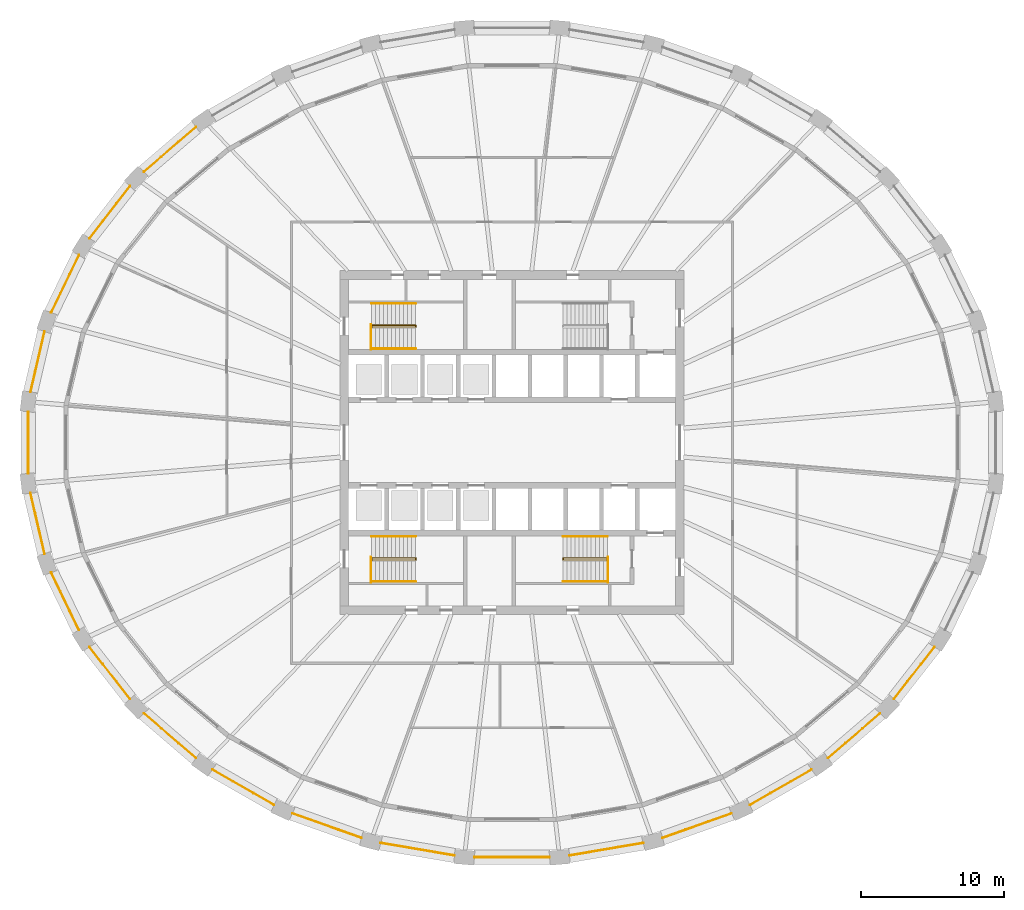
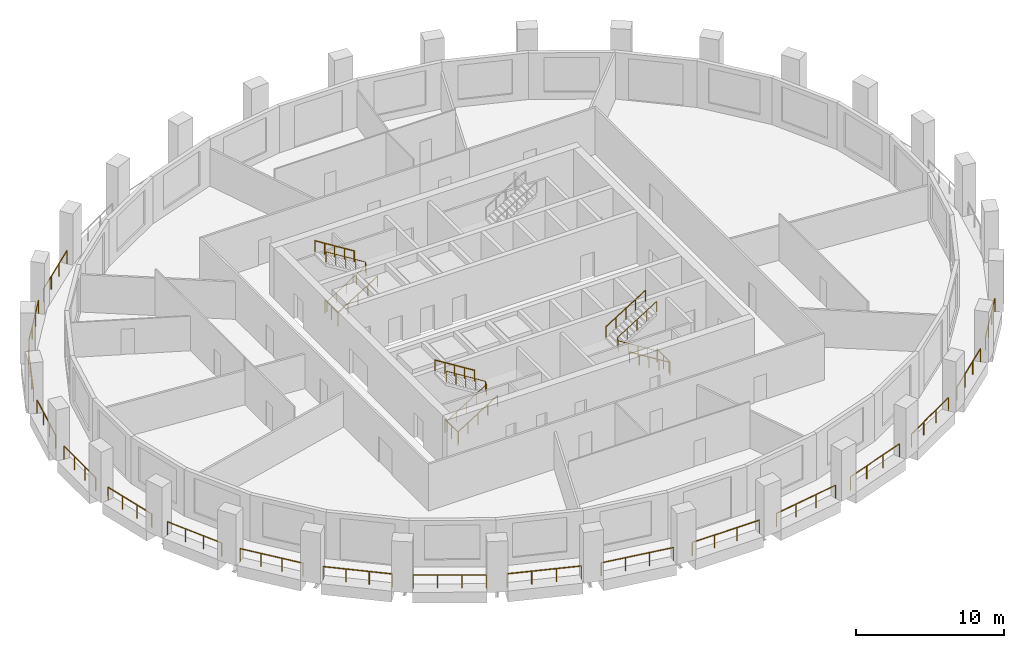
# One storey, part 8 of 10: 30 railings.
"""IFC4 building model written with IfcOpenShell, lengths in metres."""

from ifc_helpers import new_model, si_unit, direction, frame, origin, origin_2d, place, context, subcontext, project, spatial, circle, extrude, material, type_object, element, save


model = new_model("IFC4")

# Units and contexts
model_context = context("Model", 3, precision=1e-05, world=origin(), true_north=direction((0.0, 1.0)))
body_context = subcontext(model_context, "Body", "Model", "MODEL_VIEW")
ifc_project = project(units=[si_unit("LENGTHUNIT", "METRE"), si_unit("AREAUNIT", "SQUARE_METRE"), si_unit("VOLUMEUNIT", "CUBIC_METRE"), si_unit("PLANEANGLEUNIT", "RADIAN"), si_unit("MASSUNIT", "GRAM", prefix="KILO")], contexts=[model_context])

# Site, building, storey
site_placement = place(None, origin())
site = spatial("IfcSite", under=ifc_project, at=site_placement, CompositionType="ELEMENT")
building_placement = place(site_placement, origin())
building = spatial("IfcBuilding", under=site, at=building_placement, Name="Halqa Exchange Tower", CompositionType="ELEMENT")
storey_placement = place(building_placement, frame((0.0, 0.0, 163.300048828125)))
storey = spatial("IfcBuildingStorey", under=building, at=storey_placement, Name="L37", CompositionType="ELEMENT", Elevation=163.300048828125)

# Railings
ifc_material = material(Name="Stainless steel", Category="steel")
railing_type_1 = type_object("IfcRailingType", Name="Guard 1100 stainless steel", PredefinedType="GUARDRAIL", material=ifc_material)
railing_1_placement = place(storey_placement, frame((-22.05078125, 22.02001953125, 0.0)))
element("IfcRailing", 1, at=railing_1_placement, inside=storey, type_object=railing_type_1, Name="Loggia guard 12", PredefinedType="GUARDRAIL", context=body_context, shape_type="SweptSolid", body=[
    extrude(circle(Radius=0.02392578125, at=origin_2d()), frame((0.0, 0.0, 1.076171875), z_axis=(-0.759245815902, -0.650803957452, 0.0), x_axis=(0.650803957452, -0.759245815902, 0.0)), (0.0, 0.0, 1.0), 4.793212890625),
    extrude(circle(Radius=0.02099609375, at=origin_2d()), origin(), (0.0, 0.0, 1.0), 1.052001953125),
    extrude(circle(Radius=0.02099609375, at=origin_2d()), frame((-1.213134765625, -1.039794921875, 0.0)), (0.0, 0.0, 1.0), 1.052001953125),
    extrude(circle(Radius=0.02099609375, at=origin_2d()), frame((-2.426025390625, -2.07958984375, 0.0)), (0.0, 0.0, 1.0), 1.052001953125),
    extrude(circle(Radius=0.02099609375, at=origin_2d()), frame((-3.63916015625, -3.119384765625, 0.0)), (0.0, 0.0, 1.0), 1.052001953125),
])
railing_2_placement = place(storey_placement, frame((-26.65185546875, 17.89306640625, 0.0)))
element("IfcRailing", 2, at=railing_2_placement, inside=storey, type_object=railing_type_1, Name="Loggia guard 13", PredefinedType="GUARDRAIL", context=body_context, shape_type="SweptSolid", body=[
    extrude(circle(Radius=0.02392578125, at=origin_2d()), frame((0.0, 0.0, 1.076171875), z_axis=(-0.614787396714, -0.788692878655, 0.0), x_axis=(0.788692878655, -0.614787396714, 0.0)), (0.0, 0.0, 1.0), 4.60888671875),
    extrude(circle(Radius=0.02099609375, at=origin_2d()), origin(), (0.0, 0.0, 1.0), 1.052001953125),
    extrude(circle(Radius=0.02099609375, at=origin_2d()), frame((-0.944580078125, -1.211669921875, 0.0)), (0.0, 0.0, 1.0), 1.052001953125),
    extrude(circle(Radius=0.02099609375, at=origin_2d()), frame((-1.888916015625, -2.42333984375, 0.0)), (0.0, 0.0, 1.0), 1.052001953125),
    extrude(circle(Radius=0.02099609375, at=origin_2d()), frame((-2.83349609375, -3.635009765625, 0.0)), (0.0, 0.0, 1.0), 1.052001953125),
])
railing_3_placement = place(storey_placement, frame((-30.22021484375, 13.07568359375, 0.0)))
element("IfcRailing", 3, at=railing_3_placement, inside=storey, type_object=railing_type_1, Name="Loggia guard 14", PredefinedType="GUARDRAIL", context=body_context, shape_type="SweptSolid", body=[
    extrude(circle(Radius=0.02392578125, at=origin_2d()), frame((0.0, 0.0, 1.076171875), z_axis=(-0.435143450916, -0.900361137058, 0.0), x_axis=(0.900361137058, -0.435143450916, 0.0)), (0.0, 0.0, 1.0), 4.44873046875),
    extrude(circle(Radius=0.02099609375, at=origin_2d()), origin(), (0.0, 0.0, 1.0), 1.052001953125),
    extrude(circle(Radius=0.02099609375, at=origin_2d()), frame((-0.645263671875, -1.335205078125, 0.0)), (0.0, 0.0, 1.0), 1.052001953125),
    extrude(circle(Radius=0.02099609375, at=origin_2d()), frame((-1.29052734375, -2.670166015625, 0.0)), (0.0, 0.0, 1.0), 1.052001953125),
    extrude(circle(Radius=0.02099609375, at=origin_2d()), frame((-1.935791015625, -4.00537109375, 0.0)), (0.0, 0.0, 1.0), 1.052001953125),
])
railing_4_placement = place(storey_placement, frame((-32.61865234375, 7.75830078125, 0.0)))
element("IfcRailing", 4, at=railing_4_placement, inside=storey, type_object=railing_type_1, Name="Loggia guard 15", PredefinedType="GUARDRAIL", context=body_context, shape_type="SweptSolid", body=[
    extrude(circle(Radius=0.02392578125, at=origin_2d()), frame((0.0, 0.0, 1.076171875), z_axis=(-0.226083943623, -0.974107822798, 0.0), x_axis=(0.974107822798, -0.226083943623, 0.0)), (0.0, 0.0, 1.0), 4.3388671875),
    extrude(circle(Radius=0.02099609375, at=origin_2d()), origin(), (0.0, 0.0, 1.0), 1.052001953125),
    extrude(circle(Radius=0.02099609375, at=origin_2d()), frame((-0.326904296875, -1.408935546875, 0.0)), (0.0, 0.0, 1.0), 1.052001953125),
    extrude(circle(Radius=0.02099609375, at=origin_2d()), frame((-0.654052734375, -2.817626953125, 0.0)), (0.0, 0.0, 1.0), 1.052001953125),
    extrude(circle(Radius=0.02099609375, at=origin_2d()), frame((-0.98095703125, -4.2265625, 0.0)), (0.0, 0.0, 1.0), 1.052001953125),
])
railing_5_placement = place(storey_placement, frame((-33.7578125, 2.14990234375, 0.0)))
element("IfcRailing", 5, at=railing_5_placement, inside=storey, type_object=railing_type_1, Name="Loggia guard 16", PredefinedType="GUARDRAIL", context=body_context, shape_type="SweptSolid", body=[
    extrude(circle(Radius=0.02392578125, at=origin_2d()), frame((0.0, 0.0, 1.076171875), z_axis=(0.0, -1.0, 0.0), x_axis=(1.0, 0.0, 0.0)), (0.0, 0.0, 1.0), 4.2998046875),
    extrude(circle(Radius=0.02099609375, at=origin_2d()), origin(), (0.0, 0.0, 1.0), 1.052001953125),
    extrude(circle(Radius=0.02099609375, at=origin_2d()), frame((0.0, -1.433349609375, 0.0)), (0.0, 0.0, 1.0), 1.052001953125),
    extrude(circle(Radius=0.02099609375, at=origin_2d()), frame((0.0, -2.866455078125, 0.0)), (0.0, 0.0, 1.0), 1.052001953125),
    extrude(circle(Radius=0.02099609375, at=origin_2d()), frame((0.0, -4.2998046875, 0.0)), (0.0, 0.0, 1.0), 1.052001953125),
])
railing_6_placement = place(storey_placement, frame((-33.599609375, -3.53173828125, 0.0)))
element("IfcRailing", 6, at=railing_6_placement, inside=storey, type_object=railing_type_1, Name="Loggia guard 17", PredefinedType="GUARDRAIL", context=body_context, shape_type="SweptSolid", body=[
    extrude(circle(Radius=0.02392578125, at=origin_2d()), frame((0.0, 0.0, 1.076171875), z_axis=(0.226083943623, -0.974107822798, 0.0), x_axis=(0.974107822798, 0.226083943623, 0.0)), (0.0, 0.0, 1.0), 4.3388671875),
    extrude(circle(Radius=0.02099609375, at=origin_2d()), origin(), (0.0, 0.0, 1.0), 1.052001953125),
    extrude(circle(Radius=0.02099609375, at=origin_2d()), frame((0.326904296875, -1.408935546875, 0.0)), (0.0, 0.0, 1.0), 1.052001953125),
    extrude(circle(Radius=0.02099609375, at=origin_2d()), frame((0.654052734375, -2.817626953125, 0.0)), (0.0, 0.0, 1.0), 1.052001953125),
    extrude(circle(Radius=0.02099609375, at=origin_2d()), frame((0.98095703125, -4.2265625, 0.0)), (0.0, 0.0, 1.0), 1.052001953125),
])
railing_7_placement = place(storey_placement, frame((-32.156005859375, -9.0703125, 0.0)))
element("IfcRailing", 7, at=railing_7_placement, inside=storey, type_object=railing_type_1, Name="Loggia guard 18", PredefinedType="GUARDRAIL", context=body_context, shape_type="SweptSolid", body=[
    extrude(circle(Radius=0.02392578125, at=origin_2d()), frame((0.0, 0.0, 1.076171875), z_axis=(0.435143450916, -0.900361137058, 0.0), x_axis=(0.900361137058, 0.435143450916, 0.0)), (0.0, 0.0, 1.0), 4.44873046875),
    extrude(circle(Radius=0.02099609375, at=origin_2d()), origin(), (0.0, 0.0, 1.0), 1.052001953125),
    extrude(circle(Radius=0.02099609375, at=origin_2d()), frame((0.645263671875, -1.335205078125, 0.0)), (0.0, 0.0, 1.0), 1.052001953125),
    extrude(circle(Radius=0.02099609375, at=origin_2d()), frame((1.29052734375, -2.670166015625, 0.0)), (0.0, 0.0, 1.0), 1.052001953125),
    extrude(circle(Radius=0.02099609375, at=origin_2d()), frame((1.935791015625, -4.00537109375, 0.0)), (0.0, 0.0, 1.0), 1.052001953125),
])
railing_8_placement = place(storey_placement, frame((-29.4853515625, -14.258056640625, 0.0)))
element("IfcRailing", 8, at=railing_8_placement, inside=storey, type_object=railing_type_1, Name="Loggia guard 19", PredefinedType="GUARDRAIL", context=body_context, shape_type="SweptSolid", body=[
    extrude(circle(Radius=0.02392578125, at=origin_2d()), frame((0.0, 0.0, 1.076171875), z_axis=(0.614787396714, -0.788692878655, 0.0), x_axis=(0.788692878655, 0.614787396714, 0.0)), (0.0, 0.0, 1.0), 4.60888671875),
    extrude(circle(Radius=0.02099609375, at=origin_2d()), origin(), (0.0, 0.0, 1.0), 1.052001953125),
    extrude(circle(Radius=0.02099609375, at=origin_2d()), frame((0.944580078125, -1.211669921875, 0.0)), (0.0, 0.0, 1.0), 1.052001953125),
    extrude(circle(Radius=0.02099609375, at=origin_2d()), frame((1.888916015625, -2.42333984375, 0.0)), (0.0, 0.0, 1.0), 1.052001953125),
    extrude(circle(Radius=0.02099609375, at=origin_2d()), frame((2.83349609375, -3.635009765625, 0.0)), (0.0, 0.0, 1.0), 1.052001953125),
])
railing_9_placement = place(storey_placement, frame((-25.68994140625, -18.900634765625, 0.0)))
element("IfcRailing", 9, at=railing_9_placement, inside=storey, type_object=railing_type_1, Name="Loggia guard 20", PredefinedType="GUARDRAIL", context=body_context, shape_type="SweptSolid", body=[
    extrude(circle(Radius=0.02392578125, at=origin_2d()), frame((0.0, 0.0, 1.076171875), z_axis=(0.759245815902, -0.650803957452, 0.0), x_axis=(0.650803957452, 0.759245815902, 0.0)), (0.0, 0.0, 1.0), 4.793212890625),
    extrude(circle(Radius=0.02099609375, at=origin_2d()), origin(), (0.0, 0.0, 1.0), 1.052001953125),
    extrude(circle(Radius=0.02099609375, at=origin_2d()), frame((1.213134765625, -1.039794921875, 0.0)), (0.0, 0.0, 1.0), 1.052001953125),
    extrude(circle(Radius=0.02099609375, at=origin_2d()), frame((2.426025390625, -2.07958984375, 0.0)), (0.0, 0.0, 1.0), 1.052001953125),
    extrude(circle(Radius=0.02099609375, at=origin_2d()), frame((3.63916015625, -3.119384765625, 0.0)), (0.0, 0.0, 1.0), 1.052001953125),
])
railing_10_placement = place(storey_placement, frame((-20.911865234375, -22.8232421875, 0.0)))
element("IfcRailing", 10, at=railing_10_placement, inside=storey, type_object=railing_type_1, Name="Loggia guard 21", PredefinedType="GUARDRAIL", context=body_context, shape_type="SweptSolid", body=[
    extrude(circle(Radius=0.02392578125, at=origin_2d()), frame((0.0, 0.0, 1.076171875), z_axis=(0.867750144397, -0.497000691044, 0.0), x_axis=(0.497000691044, 0.867750144397, 0.0)), (0.0, 0.0, 1.0), 4.9716796875),
    extrude(circle(Radius=0.02099609375, at=origin_2d()), origin(), (0.0, 0.0, 1.0), 1.052001953125),
    extrude(circle(Radius=0.02099609375, at=origin_2d()), frame((1.43798828125, -0.82373046875, 0.0)), (0.0, 0.0, 1.0), 1.052001953125),
    extrude(circle(Radius=0.02099609375, at=origin_2d()), frame((2.876220703125, -1.647216796875, 0.0)), (0.0, 0.0, 1.0), 1.052001953125),
    extrude(circle(Radius=0.02099609375, at=origin_2d()), frame((4.314208984375, -2.470947265625, 0.0)), (0.0, 0.0, 1.0), 1.052001953125),
])
railing_11_placement = place(storey_placement, frame((-15.33056640625, -25.876220703125, 0.0)))
element("IfcRailing", 11, at=railing_11_placement, inside=storey, type_object=railing_type_1, Name="Loggia guard 22", PredefinedType="GUARDRAIL", context=body_context, shape_type="SweptSolid", body=[
    extrude(circle(Radius=0.02392578125, at=origin_2d()), frame((0.0, 0.0, 1.076171875), z_axis=(0.942356449768, -0.334610701532, 0.0), x_axis=(0.334610701532, 0.942356449768, 0.0)), (0.0, 0.0, 1.0), 5.119140625),
    extrude(circle(Radius=0.02099609375, at=origin_2d()), origin(), (0.0, 0.0, 1.0), 1.052001953125),
    extrude(circle(Radius=0.02099609375, at=origin_2d()), frame((1.60791015625, -0.571044921875, 0.0)), (0.0, 0.0, 1.0), 1.052001953125),
    extrude(circle(Radius=0.02099609375, at=origin_2d()), frame((3.216064453125, -1.141845703125, 0.0)), (0.0, 0.0, 1.0), 1.052001953125),
    extrude(circle(Radius=0.02099609375, at=origin_2d()), frame((4.823974609375, -1.712890625, 0.0)), (0.0, 0.0, 1.0), 1.052001953125),
])
railing_12_placement = place(storey_placement, frame((-9.15673828125, -27.94091796875, 0.0)))
element("IfcRailing", 12, at=railing_12_placement, inside=storey, type_object=railing_type_1, Name="Loggia guard 23", PredefinedType="GUARDRAIL", context=body_context, shape_type="SweptSolid", body=[
    extrude(circle(Radius=0.02392578125, at=origin_2d()), frame((0.0, 0.0, 1.076171875), z_axis=(0.985781275518, -0.168033558668, 0.0), x_axis=(0.168033558668, 0.985781275518, 0.0)), (0.0, 0.0, 1.0), 5.216064453125),
    extrude(circle(Radius=0.02099609375, at=origin_2d()), origin(), (0.0, 0.0, 1.0), 1.052001953125),
    extrude(circle(Radius=0.02099609375, at=origin_2d()), frame((1.7138671875, -0.292236328125, 0.0)), (0.0, 0.0, 1.0), 1.052001953125),
    extrude(circle(Radius=0.02099609375, at=origin_2d()), frame((3.427978515625, -0.584228515625, 0.0)), (0.0, 0.0, 1.0), 1.052001953125),
    extrude(circle(Radius=0.02099609375, at=origin_2d()), frame((5.141845703125, -0.87646484375, 0.0)), (0.0, 0.0, 1.0), 1.052001953125),
])
railing_13_placement = place(storey_placement, frame((-2.624755859375, -28.935302734375, 0.0)))
element("IfcRailing", 13, at=railing_13_placement, inside=storey, type_object=railing_type_1, Name="Loggia guard 24", PredefinedType="GUARDRAIL", context=body_context, shape_type="SweptSolid", body=[
    extrude(circle(Radius=0.02392578125, at=origin_2d()), frame((0.0, 0.0, 1.076171875), z_axis=(1.0, 0.0, 0.0), x_axis=(0.0, 1.0, 0.0)), (0.0, 0.0, 1.0), 5.24951171875),
    extrude(circle(Radius=0.02099609375, at=origin_2d()), origin(), (0.0, 0.0, 1.0), 1.052001953125),
    extrude(circle(Radius=0.02099609375, at=origin_2d()), frame((1.749755859375, 0.0, 0.0)), (0.0, 0.0, 1.0), 1.052001953125),
    extrude(circle(Radius=0.02099609375, at=origin_2d()), frame((3.499755859375, 0.0, 0.0)), (0.0, 0.0, 1.0), 1.052001953125),
    extrude(circle(Radius=0.02099609375, at=origin_2d()), frame((5.24951171875, 0.0, 0.0)), (0.0, 0.0, 1.0), 1.052001953125),
])
railing_14_placement = place(storey_placement, frame((4.014892578125, -28.8173828125, 0.0)))
element("IfcRailing", 14, at=railing_14_placement, inside=storey, type_object=railing_type_1, Name="Loggia guard 25", PredefinedType="GUARDRAIL", context=body_context, shape_type="SweptSolid", body=[
    extrude(circle(Radius=0.02392578125, at=origin_2d()), frame((0.0, 0.0, 1.076171875), z_axis=(0.985781275518, 0.168033558668, 0.0), x_axis=(-0.168033558668, 0.985781275518, 0.0)), (0.0, 0.0, 1.0), 5.216064453125),
    extrude(circle(Radius=0.02099609375, at=origin_2d()), origin(), (0.0, 0.0, 1.0), 1.052001953125),
    extrude(circle(Radius=0.02099609375, at=origin_2d()), frame((1.7138671875, 0.292236328125, 0.0)), (0.0, 0.0, 1.0), 1.052001953125),
    extrude(circle(Radius=0.02099609375, at=origin_2d()), frame((3.427978515625, 0.584228515625, 0.0)), (0.0, 0.0, 1.0), 1.052001953125),
    extrude(circle(Radius=0.02099609375, at=origin_2d()), frame((5.141845703125, 0.87646484375, 0.0)), (0.0, 0.0, 1.0), 1.052001953125),
])
railing_15_placement = place(storey_placement, frame((10.506591796875, -27.589111328125, 0.0)))
element("IfcRailing", 15, at=railing_15_placement, inside=storey, type_object=railing_type_1, Name="Loggia guard 26", PredefinedType="GUARDRAIL", context=body_context, shape_type="SweptSolid", body=[
    extrude(circle(Radius=0.02392578125, at=origin_2d()), frame((0.0, 0.0, 1.076171875), z_axis=(0.942356449768, 0.334610701532, 0.0), x_axis=(-0.334610701532, 0.942356449768, 0.0)), (0.0, 0.0, 1.0), 5.119140625),
    extrude(circle(Radius=0.02099609375, at=origin_2d()), origin(), (0.0, 0.0, 1.0), 1.052001953125),
    extrude(circle(Radius=0.02099609375, at=origin_2d()), frame((1.60791015625, 0.571044921875, 0.0)), (0.0, 0.0, 1.0), 1.052001953125),
    extrude(circle(Radius=0.02099609375, at=origin_2d()), frame((3.216064453125, 1.141845703125, 0.0)), (0.0, 0.0, 1.0), 1.052001953125),
    extrude(circle(Radius=0.02099609375, at=origin_2d()), frame((4.823974609375, 1.712890625, 0.0)), (0.0, 0.0, 1.0), 1.052001953125),
])
railing_16_placement = place(storey_placement, frame((16.59765625, -25.294189453125, 0.0)))
element("IfcRailing", 16, at=railing_16_placement, inside=storey, type_object=railing_type_1, Name="Loggia guard 27", PredefinedType="GUARDRAIL", context=body_context, shape_type="SweptSolid", body=[
    extrude(circle(Radius=0.02392578125, at=origin_2d()), frame((0.0, 0.0, 1.076171875), z_axis=(0.867750144397, 0.497000691044, 0.0), x_axis=(-0.497000691044, 0.867750144397, 0.0)), (0.0, 0.0, 1.0), 4.9716796875),
    extrude(circle(Radius=0.02099609375, at=origin_2d()), origin(), (0.0, 0.0, 1.0), 1.052001953125),
    extrude(circle(Radius=0.02099609375, at=origin_2d()), frame((1.43798828125, 0.82373046875, 0.0)), (0.0, 0.0, 1.0), 1.052001953125),
    extrude(circle(Radius=0.02099609375, at=origin_2d()), frame((2.876220703125, 1.647216796875, 0.0)), (0.0, 0.0, 1.0), 1.052001953125),
    extrude(circle(Radius=0.02099609375, at=origin_2d()), frame((4.314208984375, 2.470947265625, 0.0)), (0.0, 0.0, 1.0), 1.052001953125),
])
railing_17_placement = place(storey_placement, frame((22.05078125, -22.02001953125, 0.0)))
element("IfcRailing", 17, at=railing_17_placement, inside=storey, type_object=railing_type_1, Name="Loggia guard 28", PredefinedType="GUARDRAIL", context=body_context, shape_type="SweptSolid", body=[
    extrude(circle(Radius=0.02392578125, at=origin_2d()), frame((0.0, 0.0, 1.076171875), z_axis=(0.759245815902, 0.650803957452, 0.0), x_axis=(-0.650803957452, 0.759245815902, 0.0)), (0.0, 0.0, 1.0), 4.793212890625),
    extrude(circle(Radius=0.02099609375, at=origin_2d()), origin(), (0.0, 0.0, 1.0), 1.052001953125),
    extrude(circle(Radius=0.02099609375, at=origin_2d()), frame((1.213134765625, 1.039794921875, 0.0)), (0.0, 0.0, 1.0), 1.052001953125),
    extrude(circle(Radius=0.02099609375, at=origin_2d()), frame((2.426025390625, 2.07958984375, 0.0)), (0.0, 0.0, 1.0), 1.052001953125),
    extrude(circle(Radius=0.02099609375, at=origin_2d()), frame((3.63916015625, 3.119384765625, 0.0)), (0.0, 0.0, 1.0), 1.052001953125),
])
railing_18_placement = place(storey_placement, frame((26.65185546875, -17.89306640625, 0.0)))
element("IfcRailing", 18, at=railing_18_placement, inside=storey, type_object=railing_type_1, Name="Loggia guard 29", PredefinedType="GUARDRAIL", context=body_context, shape_type="SweptSolid", body=[
    extrude(circle(Radius=0.02392578125, at=origin_2d()), frame((0.0, 0.0, 1.076171875), z_axis=(0.614787396714, 0.788692878655, 0.0), x_axis=(-0.788692878655, 0.614787396714, 0.0)), (0.0, 0.0, 1.0), 4.60888671875),
    extrude(circle(Radius=0.02099609375, at=origin_2d()), origin(), (0.0, 0.0, 1.0), 1.052001953125),
    extrude(circle(Radius=0.02099609375, at=origin_2d()), frame((0.944580078125, 1.211669921875, 0.0)), (0.0, 0.0, 1.0), 1.052001953125),
    extrude(circle(Radius=0.02099609375, at=origin_2d()), frame((1.888916015625, 2.42333984375, 0.0)), (0.0, 0.0, 1.0), 1.052001953125),
    extrude(circle(Radius=0.02099609375, at=origin_2d()), frame((2.83349609375, 3.635009765625, 0.0)), (0.0, 0.0, 1.0), 1.052001953125),
])
railing_type_2 = type_object("IfcRailingType", Name="Stair handrail 900", PredefinedType="HANDRAIL", material=ifc_material)
railing_19_placement = place(storey_placement, frame((-9.800048828125, 8.06005859375, 0.175048828125)))
element("IfcRailing", 19, at=railing_19_placement, inside=storey, type_object=railing_type_2, Name="Handrail ST1.1", PredefinedType="HANDRAIL", context=body_context, shape_type="SweptSolid", body=[
    extrude(circle(Radius=0.02392578125, at=origin_2d()), frame((0.0, 0.0, 0.8759765625), z_axis=(0.848028513186, 0.0, 0.529950602248), x_axis=(0.0, 1.0, 0.0)), (0.0, 0.0, 1.0), 3.632080078125),
    extrude(circle(Radius=0.02392578125, at=origin_2d()), frame((3.080078125, 0.0, 2.80078125), z_axis=(0.0, 0.595870227118, 0.803080738428), x_axis=(-1.0, 0.0, 0.0)), (0.0, 0.0, 1.0), 0.218017578125),
    extrude(circle(Radius=0.02392578125, at=origin_2d()), frame((3.080078125, 0.1298828125, 2.9755859375), z_axis=(-0.847998304005, 0.0, 0.529998940003), x_axis=(0.0, -1.0, 0.0)), (0.0, 0.0, 1.0), 3.632080078125),
    extrude(circle(Radius=0.02099609375, at=origin_2d()), origin(), (0.0, 0.0, 1.0), 0.851806640625),
    extrude(circle(Radius=0.02099609375, at=origin_2d()), frame((0.77001953125, 0.0, 0.481201171875)), (0.0, 0.0, 1.0), 0.851806640625),
    extrude(circle(Radius=0.02099609375, at=origin_2d()), frame((1.5400390625, 0.0, 0.96240234375)), (0.0, 0.0, 1.0), 0.851806640625),
    extrude(circle(Radius=0.02099609375, at=origin_2d()), frame((2.31005859375, 0.0, 1.443603515625)), (0.0, 0.0, 1.0), 0.851806640625),
    extrude(circle(Radius=0.02099609375, at=origin_2d()), frame((3.080078125, 0.0, 1.9248046875)), (0.0, 0.0, 1.0), 0.851806640625),
    extrude(circle(Radius=0.02099609375, at=origin_2d()), frame((3.080078125, 0.1298828125, 2.099853515625)), (0.0, 0.0, 1.0), 0.851806640625),
    extrude(circle(Radius=0.02099609375, at=origin_2d()), frame((2.31005859375, 0.1298828125, 2.5810546875)), (0.0, 0.0, 1.0), 0.851806640625),
    extrude(circle(Radius=0.02099609375, at=origin_2d()), frame((1.5400390625, 0.1298828125, 3.0625)), (0.0, 0.0, 1.0), 0.851806640625),
    extrude(circle(Radius=0.02099609375, at=origin_2d()), frame((0.77001953125, 0.1298828125, 3.543701171875)), (0.0, 0.0, 1.0), 0.851806640625),
    extrude(circle(Radius=0.02099609375, at=origin_2d()), frame((0.0, 0.1298828125, 4.02490234375)), (0.0, 0.0, 1.0), 0.851806640625),
])
railing_20_placement = place(storey_placement, frame((-9.800048828125, 6.550048828125, 0.175048828125)))
element("IfcRailing", 20, at=railing_20_placement, inside=storey, type_object=railing_type_2, Name="Handrail ST1.2", PredefinedType="HANDRAIL", context=body_context, shape_type="SweptSolid", body=[
    extrude(circle(Radius=0.02392578125, at=origin_2d()), frame((0.0, 0.0, 0.8759765625), z_axis=(0.848028513186, 0.0, 0.529950602248), x_axis=(0.0, 1.0, 0.0)), (0.0, 0.0, 1.0), 3.632080078125),
    extrude(circle(Radius=0.02099609375, at=origin_2d()), origin(), (0.0, 0.0, 1.0), 0.851806640625),
    extrude(circle(Radius=0.02099609375, at=origin_2d()), frame((0.77001953125, 0.0, 0.481201171875)), (0.0, 0.0, 1.0), 0.851806640625),
    extrude(circle(Radius=0.02099609375, at=origin_2d()), frame((1.5400390625, 0.0, 0.96240234375)), (0.0, 0.0, 1.0), 0.851806640625),
    extrude(circle(Radius=0.02099609375, at=origin_2d()), frame((2.31005859375, 0.0, 1.443603515625)), (0.0, 0.0, 1.0), 0.851806640625),
    extrude(circle(Radius=0.02099609375, at=origin_2d()), frame((3.080078125, 0.0, 1.9248046875)), (0.0, 0.0, 1.0), 0.851806640625),
])
railing_21_placement = place(storey_placement, frame((-6.719970703125, 9.699951171875, 2.27490234375)))
element("IfcRailing", 21, at=railing_21_placement, inside=storey, type_object=railing_type_2, Name="Handrail ST1.3", PredefinedType="HANDRAIL", context=body_context, shape_type="SweptSolid", body=[
    extrude(circle(Radius=0.02392578125, at=origin_2d()), frame((0.0, 0.0, 0.8759765625), z_axis=(-0.847998304005, 0.0, 0.529998940003), x_axis=(0.0, -1.0, 0.0)), (0.0, 0.0, 1.0), 3.632080078125),
    extrude(circle(Radius=0.02099609375, at=origin_2d()), origin(), (0.0, 0.0, 1.0), 0.851806640625),
    extrude(circle(Radius=0.02099609375, at=origin_2d()), frame((-0.77001953125, 0.0, 0.481201171875)), (0.0, 0.0, 1.0), 0.851806640625),
    extrude(circle(Radius=0.02099609375, at=origin_2d()), frame((-1.5400390625, 0.0, 0.96240234375)), (0.0, 0.0, 1.0), 0.851806640625),
    extrude(circle(Radius=0.02099609375, at=origin_2d()), frame((-2.31005859375, 0.0, 1.44384765625)), (0.0, 0.0, 1.0), 0.851806640625),
    extrude(circle(Radius=0.02099609375, at=origin_2d()), frame((-3.080078125, 0.0, 1.925048828125)), (0.0, 0.0, 1.0), 0.851806640625),
])
railing_22_placement = place(storey_placement, frame((-9.800048828125, -8.18994140625, 0.175048828125)))
element("IfcRailing", 22, at=railing_22_placement, inside=storey, type_object=railing_type_2, Name="Handrail ST3.1", PredefinedType="HANDRAIL", context=body_context, shape_type="SweptSolid", body=[
    extrude(circle(Radius=0.02392578125, at=origin_2d()), frame((0.0, 0.0, 0.8759765625), z_axis=(0.848028513186, 0.0, 0.529950602248), x_axis=(0.0, 1.0, 0.0)), (0.0, 0.0, 1.0), 3.632080078125),
    extrude(circle(Radius=0.02392578125, at=origin_2d()), frame((3.080078125, 0.0, 2.80078125), z_axis=(0.0, 0.595870227118, 0.803080738428), x_axis=(-1.0, 0.0, 0.0)), (0.0, 0.0, 1.0), 0.218017578125),
    extrude(circle(Radius=0.02392578125, at=origin_2d()), frame((3.080078125, 0.1298828125, 2.9755859375), z_axis=(-0.847998304005, 0.0, 0.529998940003), x_axis=(0.0, -1.0, 0.0)), (0.0, 0.0, 1.0), 3.632080078125),
    extrude(circle(Radius=0.02099609375, at=origin_2d()), origin(), (0.0, 0.0, 1.0), 0.851806640625),
    extrude(circle(Radius=0.02099609375, at=origin_2d()), frame((0.77001953125, 0.0, 0.481201171875)), (0.0, 0.0, 1.0), 0.851806640625),
    extrude(circle(Radius=0.02099609375, at=origin_2d()), frame((1.5400390625, 0.0, 0.96240234375)), (0.0, 0.0, 1.0), 0.851806640625),
    extrude(circle(Radius=0.02099609375, at=origin_2d()), frame((2.31005859375, 0.0, 1.443603515625)), (0.0, 0.0, 1.0), 0.851806640625),
    extrude(circle(Radius=0.02099609375, at=origin_2d()), frame((3.080078125, 0.0, 1.9248046875)), (0.0, 0.0, 1.0), 0.851806640625),
    extrude(circle(Radius=0.02099609375, at=origin_2d()), frame((3.080078125, 0.1298828125, 2.099853515625)), (0.0, 0.0, 1.0), 0.851806640625),
    extrude(circle(Radius=0.02099609375, at=origin_2d()), frame((2.31005859375, 0.1298828125, 2.5810546875)), (0.0, 0.0, 1.0), 0.851806640625),
    extrude(circle(Radius=0.02099609375, at=origin_2d()), frame((1.5400390625, 0.1298828125, 3.0625)), (0.0, 0.0, 1.0), 0.851806640625),
    extrude(circle(Radius=0.02099609375, at=origin_2d()), frame((0.77001953125, 0.1298828125, 3.543701171875)), (0.0, 0.0, 1.0), 0.851806640625),
    extrude(circle(Radius=0.02099609375, at=origin_2d()), frame((0.0, 0.1298828125, 4.02490234375)), (0.0, 0.0, 1.0), 0.851806640625),
])
railing_23_placement = place(storey_placement, frame((-9.800048828125, -9.699951171875, 0.175048828125)))
element("IfcRailing", 23, at=railing_23_placement, inside=storey, type_object=railing_type_2, Name="Handrail ST3.2", PredefinedType="HANDRAIL", context=body_context, shape_type="SweptSolid", body=[
    extrude(circle(Radius=0.02392578125, at=origin_2d()), frame((0.0, 0.0, 0.8759765625), z_axis=(0.848028513186, 0.0, 0.529950602248), x_axis=(0.0, 1.0, 0.0)), (0.0, 0.0, 1.0), 3.632080078125),
    extrude(circle(Radius=0.02099609375, at=origin_2d()), origin(), (0.0, 0.0, 1.0), 0.851806640625),
    extrude(circle(Radius=0.02099609375, at=origin_2d()), frame((0.77001953125, 0.0, 0.481201171875)), (0.0, 0.0, 1.0), 0.851806640625),
    extrude(circle(Radius=0.02099609375, at=origin_2d()), frame((1.5400390625, 0.0, 0.96240234375)), (0.0, 0.0, 1.0), 0.851806640625),
    extrude(circle(Radius=0.02099609375, at=origin_2d()), frame((2.31005859375, 0.0, 1.443603515625)), (0.0, 0.0, 1.0), 0.851806640625),
    extrude(circle(Radius=0.02099609375, at=origin_2d()), frame((3.080078125, 0.0, 1.9248046875)), (0.0, 0.0, 1.0), 0.851806640625),
])
railing_24_placement = place(storey_placement, frame((-6.719970703125, -6.550048828125, 2.27490234375)))
element("IfcRailing", 24, at=railing_24_placement, inside=storey, type_object=railing_type_2, Name="Handrail ST3.3", PredefinedType="HANDRAIL", context=body_context, shape_type="SweptSolid", body=[
    extrude(circle(Radius=0.02392578125, at=origin_2d()), frame((0.0, 0.0, 0.8759765625), z_axis=(-0.847998304005, 0.0, 0.529998940003), x_axis=(0.0, -1.0, 0.0)), (0.0, 0.0, 1.0), 3.632080078125),
    extrude(circle(Radius=0.02099609375, at=origin_2d()), origin(), (0.0, 0.0, 1.0), 0.851806640625),
    extrude(circle(Radius=0.02099609375, at=origin_2d()), frame((-0.77001953125, 0.0, 0.481201171875)), (0.0, 0.0, 1.0), 0.851806640625),
    extrude(circle(Radius=0.02099609375, at=origin_2d()), frame((-1.5400390625, 0.0, 0.96240234375)), (0.0, 0.0, 1.0), 0.851806640625),
    extrude(circle(Radius=0.02099609375, at=origin_2d()), frame((-2.31005859375, 0.0, 1.44384765625)), (0.0, 0.0, 1.0), 0.851806640625),
    extrude(circle(Radius=0.02099609375, at=origin_2d()), frame((-3.080078125, 0.0, 1.925048828125)), (0.0, 0.0, 1.0), 0.851806640625),
])
railing_25_placement = place(storey_placement, frame((6.64990234375, -8.18994140625, 0.175048828125)))
element("IfcRailing", 25, at=railing_25_placement, inside=storey, type_object=railing_type_2, Name="Handrail ST4.1", PredefinedType="HANDRAIL", context=body_context, shape_type="SweptSolid", body=[
    extrude(circle(Radius=0.02392578125, at=origin_2d()), frame((0.0, 0.0, 0.8759765625), z_axis=(-0.848009633417, 0.0, 0.529980812513), x_axis=(0.0, -1.0, 0.0)), (0.0, 0.0, 1.0), 3.6318359375),
    extrude(circle(Radius=0.02392578125, at=origin_2d()), frame((-3.079833984375, 0.0, 2.80078125), z_axis=(0.0, 0.595870227118, 0.803080738428), x_axis=(-1.0, 0.0, 0.0)), (0.0, 0.0, 1.0), 0.218017578125),
    extrude(circle(Radius=0.02392578125, at=origin_2d()), frame((-3.079833984375, 0.1298828125, 2.9755859375), z_axis=(0.847979421464, 0.0, 0.530029150871), x_axis=(0.0, 1.0, 0.0)), (0.0, 0.0, 1.0), 3.632080078125),
    extrude(circle(Radius=0.02099609375, at=origin_2d()), origin(), (0.0, 0.0, 1.0), 0.851806640625),
    extrude(circle(Radius=0.02099609375, at=origin_2d()), frame((-0.77001953125, 0.0, 0.481201171875)), (0.0, 0.0, 1.0), 0.851806640625),
    extrude(circle(Radius=0.02099609375, at=origin_2d()), frame((-1.5400390625, 0.0, 0.96240234375)), (0.0, 0.0, 1.0), 0.851806640625),
    extrude(circle(Radius=0.02099609375, at=origin_2d()), frame((-2.309814453125, 0.0, 1.443603515625)), (0.0, 0.0, 1.0), 0.851806640625),
    extrude(circle(Radius=0.02099609375, at=origin_2d()), frame((-3.079833984375, 0.0, 1.9248046875)), (0.0, 0.0, 1.0), 0.851806640625),
    extrude(circle(Radius=0.02099609375, at=origin_2d()), frame((-3.079833984375, 0.1298828125, 2.099853515625)), (0.0, 0.0, 1.0), 0.851806640625),
    extrude(circle(Radius=0.02099609375, at=origin_2d()), frame((-2.309814453125, 0.1298828125, 2.5810546875)), (0.0, 0.0, 1.0), 0.851806640625),
    extrude(circle(Radius=0.02099609375, at=origin_2d()), frame((-1.5400390625, 0.1298828125, 3.0625)), (0.0, 0.0, 1.0), 0.851806640625),
    extrude(circle(Radius=0.02099609375, at=origin_2d()), frame((-0.77001953125, 0.1298828125, 3.543701171875)), (0.0, 0.0, 1.0), 0.851806640625),
    extrude(circle(Radius=0.02099609375, at=origin_2d()), frame((0.0, 0.1298828125, 4.02490234375)), (0.0, 0.0, 1.0), 0.851806640625),
])
railing_26_placement = place(storey_placement, frame((6.64990234375, -9.699951171875, 0.175048828125)))
element("IfcRailing", 26, at=railing_26_placement, inside=storey, type_object=railing_type_2, Name="Handrail ST4.2", PredefinedType="HANDRAIL", context=body_context, shape_type="SweptSolid", body=[
    extrude(circle(Radius=0.02392578125, at=origin_2d()), frame((0.0, 0.0, 0.8759765625), z_axis=(-0.848009633417, 0.0, 0.529980812513), x_axis=(0.0, -1.0, 0.0)), (0.0, 0.0, 1.0), 3.6318359375),
    extrude(circle(Radius=0.02099609375, at=origin_2d()), origin(), (0.0, 0.0, 1.0), 0.851806640625),
    extrude(circle(Radius=0.02099609375, at=origin_2d()), frame((-0.77001953125, 0.0, 0.481201171875)), (0.0, 0.0, 1.0), 0.851806640625),
    extrude(circle(Radius=0.02099609375, at=origin_2d()), frame((-1.5400390625, 0.0, 0.96240234375)), (0.0, 0.0, 1.0), 0.851806640625),
    extrude(circle(Radius=0.02099609375, at=origin_2d()), frame((-2.309814453125, 0.0, 1.443603515625)), (0.0, 0.0, 1.0), 0.851806640625),
    extrude(circle(Radius=0.02099609375, at=origin_2d()), frame((-3.079833984375, 0.0, 1.9248046875)), (0.0, 0.0, 1.0), 0.851806640625),
])
railing_27_placement = place(storey_placement, frame((3.570068359375, -6.550048828125, 2.27490234375)))
element("IfcRailing", 27, at=railing_27_placement, inside=storey, type_object=railing_type_2, Name="Handrail ST4.3", PredefinedType="HANDRAIL", context=body_context, shape_type="SweptSolid", body=[
    extrude(circle(Radius=0.02392578125, at=origin_2d()), frame((0.0, 0.0, 0.8759765625), z_axis=(0.847979421464, 0.0, 0.530029150871), x_axis=(0.0, 1.0, 0.0)), (0.0, 0.0, 1.0), 3.632080078125),
    extrude(circle(Radius=0.02099609375, at=origin_2d()), origin(), (0.0, 0.0, 1.0), 0.851806640625),
    extrude(circle(Radius=0.02099609375, at=origin_2d()), frame((0.77001953125, 0.0, 0.481201171875)), (0.0, 0.0, 1.0), 0.851806640625),
    extrude(circle(Radius=0.02099609375, at=origin_2d()), frame((1.5400390625, 0.0, 0.96240234375)), (0.0, 0.0, 1.0), 0.851806640625),
    extrude(circle(Radius=0.02099609375, at=origin_2d()), frame((2.309814453125, 0.0, 1.44384765625)), (0.0, 0.0, 1.0), 0.851806640625),
    extrude(circle(Radius=0.02099609375, at=origin_2d()), frame((3.079833984375, 0.0, 1.925048828125)), (0.0, 0.0, 1.0), 0.851806640625),
])
railing_type_3 = type_object("IfcRailingType", Name="Stair well guard 1100", PredefinedType="GUARDRAIL", material=ifc_material)
for number, where, name in (
    (28, (-9.85009765625, 6.5, 0.0), "Guard ST1 well"),
    (29, (-9.85009765625, -9.75, 0.0), "Guard ST3 well"),
    (30, (6.699951171875, -9.75, 0.0), "Guard ST4 well"),
):
    element("IfcRailing", number, at=place(storey_placement, frame(where)), inside=storey, type_object=railing_type_3, Name=name, PredefinedType="GUARDRAIL", context=body_context, shape_type="SweptSolid", body=[
        extrude(circle(Radius=0.02392578125, at=origin_2d()), frame((0.0, 0.0, 1.076171875), z_axis=(0.0, 1.0, 0.0), x_axis=(-1.0, 0.0, 0.0)), (0.0, 0.0, 1.0), 1.75),
        extrude(circle(Radius=0.02099609375, at=origin_2d()), origin(), (0.0, 0.0, 1.0), 1.052001953125),
        extrude(circle(Radius=0.02099609375, at=origin_2d()), frame((0.0, 0.875, 0.0)), (0.0, 0.0, 1.0), 1.052001953125),
        extrude(circle(Radius=0.02099609375, at=origin_2d()), frame((0.0, 1.75, 0.0)), (0.0, 0.0, 1.0), 1.052001953125),
    ])

save(model, "model.ifc")
